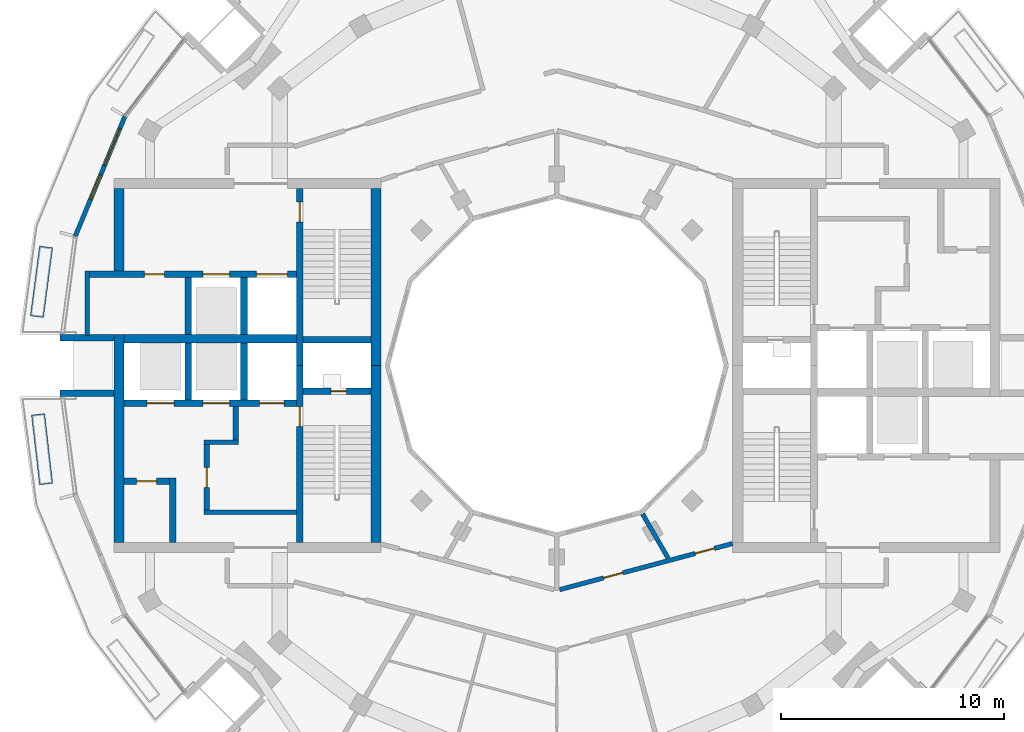
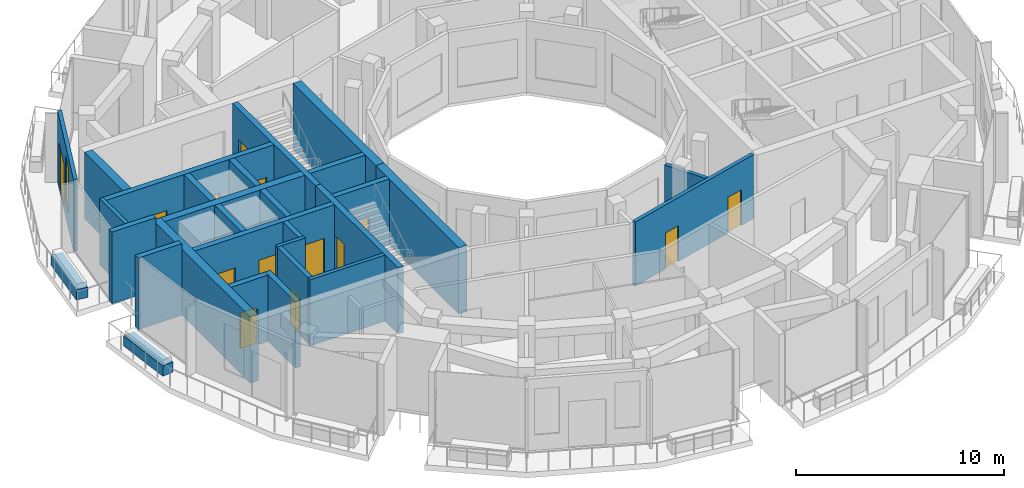
# One storey, part 9 of 16: 29 walls, 14 doors, 1 window, 15 openings.
"""IFC4 building model written with IfcOpenShell, lengths in metres."""

from ifc_helpers import new_model, si_unit, direction, frame, frame_2d, origin, place, context, subcontext, project, spatial, rectangle, extrude, material, layer, layer_set, type_object, element, fill, save


model = new_model("IFC4")

# Units and contexts
model_context = context("Model", 3, precision=1e-05, world=origin(), true_north=direction((0.0, 1.0)))
body_context = subcontext(model_context, "Body", "Model", "MODEL_VIEW")
ifc_project = project(units=[si_unit("LENGTHUNIT", "METRE"), si_unit("AREAUNIT", "SQUARE_METRE"), si_unit("VOLUMEUNIT", "CUBIC_METRE"), si_unit("PLANEANGLEUNIT", "RADIAN"), si_unit("MASSUNIT", "GRAM", prefix="KILO")], contexts=[model_context])

# Site, building, storey
site_placement = place(None, origin())
site = spatial("IfcSite", under=ifc_project, at=site_placement, CompositionType="ELEMENT")
building_placement = place(site_placement, origin())
building = spatial("IfcBuilding", under=site, at=building_placement, Name="Torre Brocal", CompositionType="ELEMENT")
storey_placement = place(building_placement, frame((0.0, 0.0, 292.5)))
storey = spatial("IfcBuildingStorey", under=building, at=storey_placement, Name="L67", CompositionType="ELEMENT", Elevation=292.5)

# Walls
ifc_material_1 = material(Name="Masonry block", Category="masonry")
ifc_layer_1 = layer(ifc_material_1, 0.199951171875)
ifc_layer_set_1 = layer_set([ifc_layer_1], Name="Masonry block")
wall_type_1 = type_object("IfcWallType", Name="CORE PARTITION 200", PredefinedType="PARTITIONING", material=ifc_layer_set_1)
wall_1_placement = place(storey_placement, frame((58.89990234375, 79.25, 0.0), z_axis=(0.0, 0.0, 1.0), x_axis=(0.0, -1.0, 0.0)))
element("IfcWall", 1, at=wall_1_placement, inside=storey, type_object=wall_type_1, Name="Wall CP200", PredefinedType="PARTITIONING", context=body_context, shape_type="SweptSolid", body=[
    extrude(rectangle(XDim=2.89990234375, YDim=0.199951171875, at=frame_2d((1.449951171875, 0.0))), origin(), (0.0, 0.0, 1.0), 3.8798828125),
])
ifc_material_2 = material(Name="Concrete C50", Category="concrete")
ifc_layer_2 = layer(ifc_material_2, 0.199951171875)
ifc_layer_set_2 = layer_set([ifc_layer_2], Name="Concrete C50")
wall_type_2 = type_object("IfcWallType", Name="CORE WALL 200 C50", PredefinedType="SHEAR", material=ifc_layer_set_2)
wall_2_placement = place(storey_placement, frame((68.300048828125, 68.39990234375, 0.0), z_axis=(0.0, 0.0, 1.0), x_axis=(-1.0, 0.0, 0.0)))
element("IfcWall", 2, at=wall_2_placement, inside=storey, type_object=wall_type_2, Name="Wall CW200-50", PredefinedType="SHEAR", context=body_context, shape_type="SweptSolid", body=[
    extrude(rectangle(XDim=4.150146484375, YDim=0.199951171875, at=frame_2d((2.0751953125, 0.0))), origin(), (0.0, 0.0, 1.0), 3.8798828125),
])
wall_3_placement = place(storey_placement, frame((65.699951171875, 71.550048828125, 0.0), z_axis=(0.0, 0.0, 1.0), x_axis=(-1.0, 0.0, 0.0)))
element("IfcWall", 3, at=wall_3_placement, inside=storey, type_object=wall_type_2, Name="Wall CW200-50", PredefinedType="SHEAR", context=body_context, shape_type="SweptSolid", body=[
    extrude(rectangle(XDim=1.550048828125, YDim=0.199951171875, at=frame_2d((0.77490234375, 0.0))), origin(), (0.0, 0.0, 1.0), 3.8798828125),
])

# Wall, opening, door
ifc_material_3 = material(Name="Concrete C50", Category="concrete")
ifc_layer_3 = layer(ifc_material_3, 0.25)
ifc_layer_set_3 = layer_set([ifc_layer_3], Name="Concrete C50")
wall_type_3 = type_object("IfcWallType", Name="CORE WALL 250 C50", PredefinedType="SHEAR", material=ifc_layer_set_3)
wall_4_placement = place(storey_placement, frame((64.27490234375, 71.449951171875, 0.0), z_axis=(0.0, 0.0, 1.0), x_axis=(0.0, -1.0, 0.0)))
wall_4 = element("IfcWall", 4, at=wall_4_placement, inside=storey, type_object=wall_type_3, Name="Wall CW250-50", PredefinedType="SHEAR", context=body_context, shape_type="SweptSolid", body=[
    extrude(rectangle(XDim=2.949951171875, YDim=0.25, at=frame_2d((1.47509765625, 0.0))), origin(), (0.0, 0.0, 1.0), 3.8798828125),
])
opening_1_placement = place(wall_4_placement, frame((1.02490234375, 0.0, 0.0)))
opening_1 = element("IfcOpeningElement", 5, at=opening_1_placement, cuts=wall_4, Name="Opening W-D19", PredefinedType="OPENING", context=body_context, shape_type="SweptSolid", body=[
    extrude(rectangle(XDim=0.89990234375, YDim=2.10009765625, at=frame_2d((0.449951171875, 1.050048828125))), frame((0.0, 0.135009765625, 0.0), z_axis=(0.0, -1.0, 0.0), x_axis=(1.0, 0.0, 0.0)), (0.0, 0.0, 1.0), 0.27001953125),
])
ifc_material_4 = material(Name="Steel A653", Category="steel")
door_type_1 = type_object("IfcDoorType", Name="LOBBY DOOR FD120 900X2100", OperationType="SINGLE_SWING_RIGHT", PredefinedType="DOOR", material=ifc_material_4)
door_1_placement = place(opening_1_placement, origin())
door_1 = element("IfcDoor", 6, at=door_1_placement, inside=storey, type_object=door_type_1, Name="Door W-D19", OperationType="SINGLE_SWING_LEFT", OverallHeight=2.10009765625, OverallWidth=0.89990234375, PredefinedType="DOOR", context=body_context, shape_type="SweptSolid", body=[
    extrude(rectangle(XDim=0.89990234375, YDim=2.10009765625, at=frame_2d((0.449951171875, 1.050048828125))), frame((0.0, 0.02490234375, 0.0), z_axis=(0.0, -1.0, 0.0), x_axis=(1.0, 0.0, 0.0)), (0.0, 0.0, 1.0), 0.050048828125),
])
fill(opening_1, door_1)

# Wall
wall_5_placement = place(storey_placement, frame((65.574951171875, 73.14990234375, 0.0), z_axis=(0.0, 0.0, 1.0), x_axis=(0.0, -1.0, 0.0)))
element("IfcWall", 7, at=wall_5_placement, inside=storey, type_object=wall_type_3, Name="Wall CW250-50", PredefinedType="SHEAR", context=body_context, shape_type="SweptSolid", body=[
    extrude(rectangle(XDim=1.5, YDim=0.25, at=frame_2d((0.75, 0.0))), origin(), (0.0, 0.0, 1.0), 3.8798828125),
])

# Wall, opening, door
ifc_material_5 = material(Name="Concrete C50", Category="concrete")
ifc_layer_4 = layer(ifc_material_5, 0.300048828125)
ifc_layer_set_4 = layer_set([ifc_layer_4], Name="Concrete C50")
wall_type_4 = type_object("IfcWallType", Name="CORE WALL 300 C50", PredefinedType="SHEAR", material=ifc_layer_set_4)
wall_6_placement = place(storey_placement, frame((68.449951171875, 75.0, 0.0), z_axis=(0.0, 0.0, 1.0), x_axis=(0.0, -1.0, 0.0)))
wall_6 = element("IfcWall", 8, at=wall_6_placement, inside=storey, type_object=wall_type_4, Name="Wall CW300-50", PredefinedType="SHEAR", context=body_context, shape_type="SweptSolid", body=[
    extrude(rectangle(XDim=7.949951171875, YDim=0.300048828125, at=frame_2d((3.97509765625, 0.0))), origin(), (0.0, 0.0, 1.0), 3.8798828125),
])
opening_2_placement = place(wall_6_placement, frame((1.85009765625, 0.0, 0.0)))
opening_2 = element("IfcOpeningElement", 9, at=opening_2_placement, cuts=wall_6, Name="Opening W-D02", PredefinedType="OPENING", context=body_context, shape_type="SweptSolid", body=[
    extrude(rectangle(XDim=0.89990234375, YDim=2.10009765625, at=frame_2d((0.449951171875, 1.050048828125))), frame((0.0, 0.159912109375, 0.0), z_axis=(0.0, -1.0, 0.0), x_axis=(1.0, 0.0, 0.0)), (0.0, 0.0, 1.0), 0.320068359375),
])
ifc_material_6 = material(Name="Steel A653", Category="steel")
door_type_2 = type_object("IfcDoorType", Name="STAIR DOOR FD120 900X2100", OperationType="SINGLE_SWING_RIGHT", PredefinedType="DOOR", material=ifc_material_6)
door_2_placement = place(opening_2_placement, origin())
door_2 = element("IfcDoor", 10, at=door_2_placement, inside=storey, type_object=door_type_2, Name="Door W-D02", OperationType="SINGLE_SWING_LEFT", OverallHeight=2.10009765625, OverallWidth=0.89990234375, PredefinedType="DOOR", context=body_context, shape_type="SweptSolid", body=[
    extrude(rectangle(XDim=0.89990234375, YDim=2.10009765625, at=frame_2d((0.449951171875, 1.050048828125))), frame((0.0, 0.02490234375, 0.0), z_axis=(0.0, -1.0, 0.0), x_axis=(1.0, 0.0, 0.0)), (0.0, 0.0, 1.0), 0.050048828125),
])
fill(opening_2, door_2)

wall_7_placement = place(storey_placement, frame((68.449951171875, 82.949951171875, 0.0), z_axis=(0.0, 0.0, 1.0), x_axis=(0.0, -1.0, 0.0)))
wall_7 = element("IfcWall", 11, at=wall_7_placement, inside=storey, type_object=wall_type_4, Name="Wall CW300-50", PredefinedType="SHEAR", context=body_context, shape_type="SweptSolid", body=[
    extrude(rectangle(XDim=7.949951171875, YDim=0.300048828125, at=frame_2d((3.97509765625, 0.0))), origin(), (0.0, 0.0, 1.0), 3.8798828125),
])
opening_3_placement = place(wall_7_placement, frame((0.60009765625, 0.0, 0.0)))
opening_3 = element("IfcOpeningElement", 12, at=opening_3_placement, cuts=wall_7, Name="Opening W-D03", PredefinedType="OPENING", context=body_context, shape_type="SweptSolid", body=[
    extrude(rectangle(XDim=0.89990234375, YDim=2.10009765625, at=frame_2d((0.449951171875, 1.050048828125))), frame((0.0, 0.159912109375, 0.0), z_axis=(0.0, -1.0, 0.0), x_axis=(1.0, 0.0, 0.0)), (0.0, 0.0, 1.0), 0.320068359375),
])
door_3_placement = place(opening_3_placement, origin())
door_3 = element("IfcDoor", 13, at=door_3_placement, inside=storey, type_object=door_type_2, Name="Door W-D03", OperationType="SINGLE_SWING_LEFT", OverallHeight=2.10009765625, OverallWidth=0.89990234375, PredefinedType="DOOR", context=body_context, shape_type="SweptSolid", body=[
    extrude(rectangle(XDim=0.89990234375, YDim=2.10009765625, at=frame_2d((0.449951171875, 1.050048828125))), frame((0.0, 0.02490234375, 0.0), z_axis=(0.0, -1.0, 0.0), x_axis=(1.0, 0.0, 0.0)), (0.0, 0.0, 1.0), 0.050048828125),
])
fill(opening_3, door_3)

wall_8_placement = place(storey_placement, frame((71.64990234375, 73.85009765625, 0.0), z_axis=(0.0, 0.0, 1.0), x_axis=(-1.0, 0.0, 0.0)))
wall_8 = element("IfcWall", 14, at=wall_8_placement, inside=storey, type_object=wall_type_4, Name="Wall CW300-50", PredefinedType="SHEAR", context=body_context, shape_type="SweptSolid", body=[
    extrude(rectangle(XDim=3.0498046875, YDim=0.300048828125, at=frame_2d((1.52490234375, 0.0))), origin(), (0.0, 0.0, 1.0), 3.8798828125),
])
opening_4_placement = place(wall_8_placement, frame((1.10009765625, 0.0, 0.0)))
opening_4 = element("IfcOpeningElement", 15, at=opening_4_placement, cuts=wall_8, Name="Opening W-D01", PredefinedType="OPENING", context=body_context, shape_type="SweptSolid", body=[
    extrude(rectangle(XDim=0.699951171875, YDim=2.0, at=frame_2d((0.35009765625, 1.0))), frame((0.0, 0.159912109375, 0.0), z_axis=(0.0, -1.0, 0.0), x_axis=(1.0, 0.0, 0.0)), (0.0, 0.0, 1.0), 0.320068359375),
])
ifc_material_7 = material(Name="Steel A653", Category="steel")
door_type_3 = type_object("IfcDoorType", Name="RISER DOOR FD120 700X2000", OperationType="SINGLE_SWING_LEFT", PredefinedType="DOOR", material=ifc_material_7)
door_4_placement = place(opening_4_placement, frame((0.699951171875, 0.0, 0.0), z_axis=(0.0, 0.0, 1.0), x_axis=(-1.0, 0.0, 0.0)))
door_4 = element("IfcDoor", 16, at=door_4_placement, inside=storey, type_object=door_type_3, Name="Door W-D01", OperationType="SINGLE_SWING_RIGHT", OverallHeight=2.0, OverallWidth=0.699951171875, PredefinedType="DOOR", context=body_context, shape_type="SweptSolid", body=[
    extrude(rectangle(XDim=0.699951171875, YDim=2.0, at=frame_2d((0.35009765625, 1.0))), frame((0.0, 0.02490234375, 0.0), z_axis=(0.0, -1.0, 0.0), x_axis=(1.0, 0.0, 0.0)), (0.0, 0.0, 1.0), 0.050048828125),
])
fill(opening_4, door_4)

# Wall
wall_9_placement = place(storey_placement, frame((71.64990234375, 76.14990234375, 0.0), z_axis=(0.0, 0.0, 1.0), x_axis=(-1.0, 0.0, 0.0)))
element("IfcWall", 17, at=wall_9_placement, inside=storey, type_object=wall_type_4, Name="Wall CW300-50", PredefinedType="SHEAR", context=body_context, shape_type="SweptSolid", body=[
    extrude(rectangle(XDim=3.0498046875, YDim=0.300048828125, at=frame_2d((1.52490234375, 0.0))), origin(), (0.0, 0.0, 1.0), 3.8798828125),
])

# Wall, openings, doors
wall_10_placement = place(storey_placement, frame((68.300048828125, 73.300048828125, 0.0), z_axis=(0.0, 0.0, 1.0), x_axis=(-1.0, 0.0, 0.0)))
wall_10 = element("IfcWall", 18, at=wall_10_placement, inside=storey, type_object=wall_type_4, Name="Wall CW300-50", PredefinedType="SHEAR", context=body_context, shape_type="SweptSolid", body=[
    extrude(rectangle(XDim=7.75, YDim=0.300048828125, at=frame_2d((3.875, 0.0))), origin(), (0.0, 0.0, 1.0), 3.8798828125),
])
opening_5_placement = place(wall_10_placement, frame((0.550048828125, 0.0, 0.0)))
opening_5 = element("IfcOpeningElement", 19, at=opening_5_placement, cuts=wall_10, Name="Opening LD", PredefinedType="OPENING", context=body_context, shape_type="SweptSolid", body=[
    extrude(rectangle(XDim=1.10009765625, YDim=2.10009765625, at=frame_2d((0.550048828125, 1.050048828125))), frame((0.0, 0.159912109375, 0.0), z_axis=(0.0, -1.0, 0.0), x_axis=(1.0, 0.0, 0.0)), (0.0, 0.0, 1.0), 0.320068359375),
])
opening_6_placement = place(wall_10_placement, frame((3.0, 0.0, 0.0)))
opening_6 = element("IfcOpeningElement", 20, at=opening_6_placement, cuts=wall_10, Name="Opening LD12", PredefinedType="OPENING", context=body_context, shape_type="SweptSolid", body=[
    extrude(rectangle(XDim=1.199951171875, YDim=2.10009765625, at=frame_2d((0.60009765625, 1.050048828125))), frame((0.0, 0.159912109375, 0.0), z_axis=(0.0, -1.0, 0.0), x_axis=(1.0, 0.0, 0.0)), (0.0, 0.0, 1.0), 0.320068359375),
])
opening_7_placement = place(wall_10_placement, frame((5.5, 0.0, 0.0)))
opening_7 = element("IfcOpeningElement", 21, at=opening_7_placement, cuts=wall_10, Name="Opening LD12", PredefinedType="OPENING", context=body_context, shape_type="SweptSolid", body=[
    extrude(rectangle(XDim=1.199951171875, YDim=2.10009765625, at=frame_2d((0.60009765625, 1.050048828125))), frame((0.0, 0.159912109375, 0.0), z_axis=(0.0, -1.0, 0.0), x_axis=(1.0, 0.0, 0.0)), (0.0, 0.0, 1.0), 0.320068359375),
])
ifc_material_8 = material(Name="Stainless steel AISI 316", Category="steel")
door_type_4 = type_object("IfcDoorType", Name="LIFT LANDING DOOR 1100X2100", OperationType="DOUBLE_DOOR_SLIDING", PredefinedType="DOOR", material=ifc_material_8)
door_5_placement = place(opening_5_placement, origin())
door_5 = element("IfcDoor", 22, at=door_5_placement, inside=storey, type_object=door_type_4, Name="Door LD", OperationType="DOUBLE_DOOR_SLIDING", OverallHeight=2.10009765625, OverallWidth=1.10009765625, PredefinedType="DOOR", context=body_context, shape_type="SweptSolid", body=[
    extrude(rectangle(XDim=1.10009765625, YDim=2.10009765625, at=frame_2d((0.550048828125, 1.050048828125))), frame((0.0, 0.02490234375, 0.0), z_axis=(0.0, -1.0, 0.0), x_axis=(1.0, 0.0, 0.0)), (0.0, 0.0, 1.0), 0.050048828125),
])
fill(opening_5, door_5)
ifc_material_9 = material(Name="Stainless steel AISI 316", Category="steel")
door_type_5 = type_object("IfcDoorType", Name="LIFT LANDING DOOR 1200X2100", OperationType="DOUBLE_DOOR_SLIDING", PredefinedType="DOOR", material=ifc_material_9)
door_6_placement = place(opening_6_placement, origin())
door_6 = element("IfcDoor", 23, at=door_6_placement, inside=storey, type_object=door_type_5, Name="Door LD12", OperationType="DOUBLE_DOOR_SLIDING", OverallHeight=2.10009765625, OverallWidth=1.199951171875, PredefinedType="DOOR", context=body_context, shape_type="SweptSolid", body=[
    extrude(rectangle(XDim=1.199951171875, YDim=2.10009765625, at=frame_2d((0.60009765625, 1.050048828125))), frame((0.0, 0.02490234375, 0.0), z_axis=(0.0, -1.0, 0.0), x_axis=(1.0, 0.0, 0.0)), (0.0, 0.0, 1.0), 0.050048828125),
])
fill(opening_6, door_6)
door_7_placement = place(opening_7_placement, origin())
door_7 = element("IfcDoor", 24, at=door_7_placement, inside=storey, type_object=door_type_5, Name="Door LD12", OperationType="DOUBLE_DOOR_SLIDING", OverallHeight=2.10009765625, OverallWidth=1.199951171875, PredefinedType="DOOR", context=body_context, shape_type="SweptSolid", body=[
    extrude(rectangle(XDim=1.199951171875, YDim=2.10009765625, at=frame_2d((0.60009765625, 1.050048828125))), frame((0.0, 0.02490234375, 0.0), z_axis=(0.0, -1.0, 0.0), x_axis=(1.0, 0.0, 0.0)), (0.0, 0.0, 1.0), 0.050048828125),
])
fill(opening_7, door_7)

wall_11_placement = place(storey_placement, frame((68.300048828125, 79.10009765625, 0.0), z_axis=(0.0, 0.0, 1.0), x_axis=(-1.0, 0.0, 0.0)))
wall_11 = element("IfcWall", 25, at=wall_11_placement, inside=storey, type_object=wall_type_4, Name="Wall CW300-50", PredefinedType="SHEAR", context=body_context, shape_type="SweptSolid", body=[
    extrude(rectangle(XDim=9.300048828125, YDim=0.300048828125, at=frame_2d((4.64990234375, 0.0))), origin(), (0.0, 0.0, 1.0), 3.8798828125),
])
opening_8_placement = place(wall_11_placement, frame((0.39990234375, 0.0, 0.0)))
opening_8 = element("IfcOpeningElement", 26, at=opening_8_placement, cuts=wall_11, Name="Opening LD14", PredefinedType="OPENING", context=body_context, shape_type="SweptSolid", body=[
    extrude(rectangle(XDim=1.39990234375, YDim=2.10009765625, at=frame_2d((0.699951171875, 1.050048828125))), frame((0.0, 0.159912109375, 0.0), z_axis=(0.0, -1.0, 0.0), x_axis=(1.0, 0.0, 0.0)), (0.0, 0.0, 1.0), 0.320068359375),
])
opening_9_placement = place(wall_11_placement, frame((3.0, 0.0, 0.0)))
opening_9 = element("IfcOpeningElement", 27, at=opening_9_placement, cuts=wall_11, Name="Opening LD12", PredefinedType="OPENING", context=body_context, shape_type="SweptSolid", body=[
    extrude(rectangle(XDim=1.199951171875, YDim=2.10009765625, at=frame_2d((0.60009765625, 1.050048828125))), frame((0.0, 0.159912109375, 0.0), z_axis=(0.0, -1.0, 0.0), x_axis=(1.0, 0.0, 0.0)), (0.0, 0.0, 1.0), 0.320068359375),
])
opening_10_placement = place(wall_11_placement, frame((5.925048828125, 0.0, 0.0)))
opening_10 = element("IfcOpeningElement", 28, at=opening_10_placement, cuts=wall_11, Name="Opening W-D04", PredefinedType="OPENING", context=body_context, shape_type="SweptSolid", body=[
    extrude(rectangle(XDim=0.89990234375, YDim=2.10009765625, at=frame_2d((0.449951171875, 1.050048828125))), frame((0.0, 0.159912109375, 0.0), z_axis=(0.0, -1.0, 0.0), x_axis=(1.0, 0.0, 0.0)), (0.0, 0.0, 1.0), 0.320068359375),
])
door_8_placement = place(opening_9_placement, origin())
door_8 = element("IfcDoor", 29, at=door_8_placement, inside=storey, type_object=door_type_5, Name="Door LD12", OperationType="DOUBLE_DOOR_SLIDING", OverallHeight=2.10009765625, OverallWidth=1.199951171875, PredefinedType="DOOR", context=body_context, shape_type="SweptSolid", body=[
    extrude(rectangle(XDim=1.199951171875, YDim=2.10009765625, at=frame_2d((0.60009765625, 1.050048828125))), frame((0.0, 0.02490234375, 0.0), z_axis=(0.0, -1.0, 0.0), x_axis=(1.0, 0.0, 0.0)), (0.0, 0.0, 1.0), 0.050048828125),
])
fill(opening_9, door_8)
ifc_material_10 = material(Name="Stainless steel AISI 316", Category="steel")
door_type_6 = type_object("IfcDoorType", Name="LIFT LANDING DOOR 1400X2100", OperationType="DOUBLE_DOOR_SLIDING", PredefinedType="DOOR", material=ifc_material_10)
door_9_placement = place(opening_8_placement, origin())
door_9 = element("IfcDoor", 30, at=door_9_placement, inside=storey, type_object=door_type_6, Name="Door LD14", OperationType="DOUBLE_DOOR_SLIDING", OverallHeight=2.10009765625, OverallWidth=1.39990234375, PredefinedType="DOOR", context=body_context, shape_type="SweptSolid", body=[
    extrude(rectangle(XDim=1.39990234375, YDim=2.10009765625, at=frame_2d((0.699951171875, 1.050048828125))), frame((0.0, 0.02490234375, 0.0), z_axis=(0.0, -1.0, 0.0), x_axis=(1.0, 0.0, 0.0)), (0.0, 0.0, 1.0), 0.050048828125),
])
fill(opening_8, door_9)
ifc_material_11 = material(Name="Steel A653", Category="steel")
door_type_7 = type_object("IfcDoorType", Name="ROOM DOOR FD30S 900X2100", OperationType="SINGLE_SWING_LEFT", PredefinedType="DOOR", material=ifc_material_11)
door_10_placement = place(opening_10_placement, origin())
door_10 = element("IfcDoor", 31, at=door_10_placement, inside=storey, type_object=door_type_7, Name="Door W-D04", OperationType="SINGLE_SWING_LEFT", OverallHeight=2.10009765625, OverallWidth=0.89990234375, PredefinedType="DOOR", context=body_context, shape_type="SweptSolid", body=[
    extrude(rectangle(XDim=0.89990234375, YDim=2.10009765625, at=frame_2d((0.449951171875, 1.050048828125))), frame((0.0, 0.02490234375, 0.0), z_axis=(0.0, -1.0, 0.0), x_axis=(1.0, 0.0, 0.0)), (0.0, 0.0, 1.0), 0.050048828125),
])
fill(opening_10, door_10)

# Walls
for number, where, z_axis, x_axis, name in (
    (32, (65.949951171875, 76.0, 0.0), (0.0, 0.0, 1.0), (0.0, -1.0, 0.0), "Wall CW300-50"),
    (33, (63.449951171875, 76.0, 0.0), (0.0, 0.0, 1.0), (0.0, -1.0, 0.0), "Wall CW300-50"),
    (34, (65.949951171875, 78.949951171875, 0.0), (0.0, 0.0, 1.0), (0.0, -1.0, 0.0), "Wall CW300-50"),
    (35, (63.449951171875, 78.949951171875, 0.0), (0.0, 0.0, 1.0), (0.0, -1.0, 0.0), "Wall CW300-50"),
):
    element("IfcWall", number, at=place(storey_placement, frame(where, z_axis=z_axis, x_axis=x_axis)), inside=storey, type_object=wall_type_4, Name=name, PredefinedType="SHEAR", context=body_context, shape_type="SweptSolid", body=[
        extrude(rectangle(XDim=2.550048828125, YDim=0.300048828125, at=frame_2d((1.27490234375, 0.0))), origin(), (0.0, 0.0, 1.0), 3.8798828125),
    ])
wall_12_placement = place(storey_placement, frame((62.75, 69.949951171875, 0.0), z_axis=(0.0, 0.0, 1.0), x_axis=(0.0, -1.0, 0.0)))
element("IfcWall", 36, at=wall_12_placement, inside=storey, type_object=wall_type_4, Name="Wall CW300-50", PredefinedType="SHEAR", context=body_context, shape_type="SweptSolid", body=[
    extrude(rectangle(XDim=2.89990234375, YDim=0.300048828125, at=frame_2d((1.449951171875, 0.0))), origin(), (0.0, 0.0, 1.0), 3.8798828125),
])

# Wall, opening, door
wall_13_placement = place(storey_placement, frame((62.60009765625, 69.800048828125, 0.0), z_axis=(0.0, 0.0, 1.0), x_axis=(-1.0, 0.0, 0.0)))
wall_13 = element("IfcWall", 37, at=wall_13_placement, inside=storey, type_object=wall_type_4, Name="Wall CW300-50", PredefinedType="SHEAR", context=body_context, shape_type="SweptSolid", body=[
    extrude(rectangle(XDim=2.050048828125, YDim=0.300048828125, at=frame_2d((1.02490234375, 0.0))), origin(), (0.0, 0.0, 1.0), 3.8798828125),
])
opening_11_placement = place(wall_13_placement, frame((0.574951171875, 0.0, 0.0)))
opening_11 = element("IfcOpeningElement", 38, at=opening_11_placement, cuts=wall_13, Name="Opening W-D06", PredefinedType="OPENING", context=body_context, shape_type="SweptSolid", body=[
    extrude(rectangle(XDim=0.89990234375, YDim=2.10009765625, at=frame_2d((0.449951171875, 1.050048828125))), frame((0.0, 0.159912109375, 0.0), z_axis=(0.0, -1.0, 0.0), x_axis=(1.0, 0.0, 0.0)), (0.0, 0.0, 1.0), 0.320068359375),
])
door_11_placement = place(opening_11_placement, origin())
door_11 = element("IfcDoor", 39, at=door_11_placement, inside=storey, type_object=door_type_7, Name="Door W-D06", OperationType="SINGLE_SWING_RIGHT", OverallHeight=2.10009765625, OverallWidth=0.89990234375, PredefinedType="DOOR", context=body_context, shape_type="SweptSolid", body=[
    extrude(rectangle(XDim=0.89990234375, YDim=2.10009765625, at=frame_2d((0.449951171875, 1.050048828125))), frame((0.0, 0.02490234375, 0.0), z_axis=(0.0, -1.0, 0.0), x_axis=(1.0, 0.0, 0.0)), (0.0, 0.0, 1.0), 0.050048828125),
])
fill(opening_11, door_11)

# Walls
ifc_material_12 = material(Name="Concrete C50", Category="concrete")
ifc_layer_5 = layer(ifc_material_12, 0.39990234375)
ifc_layer_set_5 = layer_set([ifc_layer_5], Name="Concrete C50")
wall_type_5 = type_object("IfcWallType", Name="CORE WALL 400 C50", PredefinedType="SHEAR", material=ifc_layer_set_5)
wall_14_placement = place(storey_placement, frame((68.300048828125, 76.199951171875, 0.0), z_axis=(0.0, 0.0, 1.0), x_axis=(-1.0, 0.0, 0.0)))
element("IfcWall", 40, at=wall_14_placement, inside=storey, type_object=wall_type_5, Name="Wall CW400-50", PredefinedType="SHEAR", context=body_context, shape_type="SweptSolid", body=[
    extrude(rectangle(XDim=7.75, YDim=0.39990234375, at=frame_2d((3.875, 0.0))), origin(), (0.0, 0.0, 1.0), 3.8798828125),
])
ifc_material_13 = material(Name="Concrete C50", Category="concrete")
ifc_layer_6 = layer(ifc_material_13, 0.449951171875)
ifc_layer_set_6 = layer_set([ifc_layer_6], Name="Concrete C50")
wall_type_6 = type_object("IfcWallType", Name="CORE WALL 450 C50", PredefinedType="SHEAR", material=ifc_layer_set_6)
for number, where, z_axis, x_axis, name in (
    (41, (71.875, 75.0, 0.0), (0.0, 0.0, 1.0), (0.0, -1.0, 0.0), "Wall CW450-50"),
    (42, (71.875, 82.949951171875, 0.0), (0.0, 0.0, 1.0), (0.0, -1.0, 0.0), "Wall CW450-50"),
):
    element("IfcWall", number, at=place(storey_placement, frame(where, z_axis=z_axis, x_axis=x_axis)), inside=storey, type_object=wall_type_6, Name=name, PredefinedType="SHEAR", context=body_context, shape_type="SweptSolid", body=[
        extrude(rectangle(XDim=7.949951171875, YDim=0.449951171875, at=frame_2d((3.97509765625, 0.0))), origin(), (0.0, 0.0, 1.0), 3.8798828125),
    ])
wall_15_placement = place(storey_placement, frame((60.324951171875, 76.39990234375, 0.0), z_axis=(0.0, 0.0, 1.0), x_axis=(0.0, -1.0, 0.0)))
element("IfcWall", 43, at=wall_15_placement, inside=storey, type_object=wall_type_6, Name="Wall CW450-50", PredefinedType="SHEAR", context=body_context, shape_type="SweptSolid", body=[
    extrude(rectangle(XDim=9.349853515625, YDim=0.449951171875, at=frame_2d((4.6748046875, 0.0))), origin(), (0.0, 0.0, 1.0), 3.8798828125),
])
wall_16_placement = place(storey_placement, frame((60.324951171875, 82.949951171875, 0.0), z_axis=(0.0, 0.0, 1.0), x_axis=(0.0, -1.0, 0.0)))
element("IfcWall", 44, at=wall_16_placement, inside=storey, type_object=wall_type_6, Name="Wall CW450-50", PredefinedType="SHEAR", context=body_context, shape_type="SweptSolid", body=[
    extrude(rectangle(XDim=3.699951171875, YDim=0.449951171875, at=frame_2d((1.85009765625, 0.0))), origin(), (0.0, 0.0, 1.0), 3.8798828125),
])

# Wall, openings, door, window
ifc_material_14 = material(Name="Concrete C40", Category="concrete")
ifc_layer_7 = layer(ifc_material_14, 0.199951171875)
ifc_layer_set_7 = layer_set([ifc_layer_7], Name="Concrete C40")
wall_type_7 = type_object("IfcWallType", Name="EXTERNAL WALL 200", PredefinedType="NOTDEFINED", material=ifc_layer_set_7)
wall_17_placement = place(storey_placement, frame((60.601806640625, 86.199462890625, 0.0), z_axis=(0.0, 0.0, 1.0), x_axis=(-0.382708254591, -0.923869250418, 0.0)))
wall_17 = element("IfcWall", 45, at=wall_17_placement, inside=storey, type_object=wall_type_7, Name="EXTERNAL WALL", PredefinedType="NOTDEFINED", context=body_context, shape_type="SweptSolid", body=[
    extrude(rectangle(XDim=5.84716796875, YDim=0.199951171875, at=frame_2d((2.923583984375, 0.0))), origin(), (0.0, 0.0, 1.0), 4.199951171875),
])
opening_12_placement = place(wall_17_placement, frame((0.60009765625, 0.0, 0.0)))
opening_12 = element("IfcOpeningElement", 46, at=opening_12_placement, cuts=wall_17, Name="Opening L67-E04", PredefinedType="OPENING", context=body_context, shape_type="SweptSolid", body=[
    extrude(rectangle(XDim=1.800048828125, YDim=2.699951171875, at=frame_2d((0.89990234375, 1.35009765625))), frame((0.0, 0.10986328125, 0.0), z_axis=(0.0, -1.0, 0.0), x_axis=(1.0, 0.0, 0.0)), (0.0, 0.0, 1.0), 0.219970703125),
])
opening_13_placement = place(wall_17_placement, frame((2.85009765625, 0.0, 0.89990234375)))
opening_13 = element("IfcOpeningElement", 47, at=opening_13_placement, cuts=wall_17, Name="Opening W9", PredefinedType="OPENING", context=body_context, shape_type="SweptSolid", body=[
    extrude(rectangle(XDim=1.199951171875, YDim=2.699951171875, at=frame_2d((0.60009765625, 1.35009765625))), frame((0.0, 0.10986328125, 0.0), z_axis=(0.0, -1.0, 0.0), x_axis=(1.0, 0.0, 0.0)), (0.0, 0.0, 1.0), 0.219970703125),
])
ifc_material_15 = material(Name="Aluminium and glass", Category="aluminium")
door_type_8 = type_object("IfcDoorType", Name="PENTHOUSE TERRACE DOUBLE DOOR 1800X2700", OperationType="DOUBLE_DOOR_SINGLE_SWING", PredefinedType="DOOR", material=ifc_material_15)
door_12_placement = place(opening_12_placement, origin())
door_12 = element("IfcDoor", 48, at=door_12_placement, inside=storey, type_object=door_type_8, Name="DOOR L67-E04", OperationType="DOUBLE_DOOR_SINGLE_SWING", OverallHeight=2.699951171875, OverallWidth=1.800048828125, PredefinedType="DOOR", context=body_context, shape_type="SweptSolid", body=[
    extrude(rectangle(XDim=1.800048828125, YDim=2.699951171875, at=frame_2d((0.89990234375, 1.35009765625))), frame((0.0, 0.02490234375, 0.0), z_axis=(0.0, -1.0, 0.0), x_axis=(1.0, 0.0, 0.0)), (0.0, 0.0, 1.0), 0.050048828125),
])
fill(opening_12, door_12)
ifc_material_16 = material(Name="Aluminium and glass", Category="aluminium")
window_type = type_object("IfcWindowType", Name="PENTHOUSE TERRACE WINDOW 1200X2700", PartitioningType="SINGLE_PANEL", PredefinedType="WINDOW", material=ifc_material_16)
window_placement = place(opening_13_placement, origin())
window = element("IfcWindow", 49, at=window_placement, inside=storey, type_object=window_type, Name="PENTHOUSE TERRACE WINDOW 1200X2700", OverallHeight=2.699951171875, OverallWidth=1.199951171875, PartitioningType="SINGLE_PANEL", PredefinedType="WINDOW", context=body_context, shape_type="SweptSolid", body=[
    extrude(rectangle(XDim=1.199951171875, YDim=2.699951171875, at=frame_2d((0.60009765625, 1.35009765625))), frame((0.0, 0.030029296875, 0.0), z_axis=(0.0, -1.0, 0.0), x_axis=(1.0, 0.0, 0.0)), (0.0, 0.0, 1.0), 0.06005859375),
])
fill(opening_13, window)

# Walls
ifc_material_17 = material(Name="Concrete C50", Category="concrete")
ifc_layer_8 = layer(ifc_material_17, 0.300048828125)
ifc_layer_set_8 = layer_set([ifc_layer_8], Name="Concrete C50")
wall_type_8 = type_object("IfcWallType", Name="NOTCH RETURN WALL 300 C50", PredefinedType="NOTDEFINED", material=ifc_layer_set_8)
for number, where, z_axis, x_axis, name in (
    (50, (60.10009765625, 76.25, 0.0), (0.0, 0.0, 1.0), (-1.0, 0.0, 0.0), "NOTCH RETURN WALL"),
    (51, (60.10009765625, 73.75, 0.0), (0.0, 0.0, 1.0), (-1.0, 0.0, 0.0), "NOTCH RETURN WALL"),
):
    element("IfcWall", number, at=place(storey_placement, frame(where, z_axis=z_axis, x_axis=x_axis)), inside=storey, type_object=wall_type_8, Name=name, PredefinedType="NOTDEFINED", context=body_context, shape_type="SweptSolid", body=[
        extrude(rectangle(XDim=2.415771484375, YDim=0.300048828125, at=frame_2d((1.2080078125, 0.0))), origin(), (0.0, 0.0, 1.0), 4.199951171875),
    ])

# Wall, openings, doors
ifc_material_18 = material(Name="Gypsum board", Category="Gypsum")
ifc_layer_9 = layer(ifc_material_18, 0.199951171875)
ifc_layer_set_9 = layer_set([ifc_layer_9], Name="Gypsum board")
wall_type_9 = type_object("IfcWallType", Name="PARTITION 200 EI60", PredefinedType="PARTITIONING", material=ifc_layer_set_9)
wall_18_placement = place(storey_placement, frame((80.125, 64.931640625, 0.0), z_axis=(0.0, 0.0, 1.0), x_axis=(0.966236955806, 0.257655089674, 0.0)))
wall_18 = element("IfcWall", 52, at=wall_18_placement, inside=storey, type_object=wall_type_9, Name="CORRIDOR WALL", PredefinedType="PARTITIONING", context=body_context, shape_type="SweptSolid", body=[
    extrude(rectangle(XDim=8.0390625, YDim=0.199951171875, at=frame_2d((4.01953125, 0.0))), origin(), (0.0, 0.0, 1.0), 3.75),
])
opening_14_placement = place(wall_18_placement, frame((6.298095703125, 0.0, 0.0)))
opening_14 = element("IfcOpeningElement", 53, at=opening_14_placement, cuts=wall_18, Name="Opening N03-D15", PredefinedType="OPENING", context=body_context, shape_type="SweptSolid", body=[
    extrude(rectangle(XDim=0.89990234375, YDim=2.10009765625, at=frame_2d((0.449951171875, 1.050048828125))), frame((0.0, 0.10986328125, 0.0), z_axis=(0.0, -1.0, 0.0), x_axis=(1.0, 0.0, 0.0)), (0.0, 0.0, 1.0), 0.219970703125),
])
opening_15_placement = place(wall_18_placement, frame((2.044921875, 0.0, 0.0)))
opening_15 = element("IfcOpeningElement", 54, at=opening_15_placement, cuts=wall_18, Name="Opening N03-D16", PredefinedType="OPENING", context=body_context, shape_type="SweptSolid", body=[
    extrude(rectangle(XDim=0.89990234375, YDim=2.10009765625, at=frame_2d((0.449951171875, 1.050048828125))), frame((0.0, 0.10986328125, 0.0), z_axis=(0.0, -1.0, 0.0), x_axis=(1.0, 0.0, 0.0)), (0.0, 0.0, 1.0), 0.219970703125),
])
ifc_material_19 = material(Name="Timber", Category="wood")
door_type_9 = type_object("IfcDoorType", Name="ROOM DOOR 900X2100", OperationType="SINGLE_SWING_LEFT", PredefinedType="DOOR", material=ifc_material_19)
door_13_placement = place(opening_14_placement, origin())
door_13 = element("IfcDoor", 55, at=door_13_placement, inside=storey, type_object=door_type_9, Name="N03-D15", OperationType="SINGLE_SWING_RIGHT", OverallHeight=2.10009765625, OverallWidth=0.89990234375, PredefinedType="DOOR", context=body_context, shape_type="SweptSolid", body=[
    extrude(rectangle(XDim=0.89990234375, YDim=2.10009765625, at=frame_2d((0.449951171875, 1.050048828125))), frame((0.0, 0.02490234375, 0.0), z_axis=(0.0, -1.0, 0.0), x_axis=(1.0, 0.0, 0.0)), (0.0, 0.0, 1.0), 0.050048828125),
])
fill(opening_14, door_13)
door_14_placement = place(opening_15_placement, origin())
door_14 = element("IfcDoor", 56, at=door_14_placement, inside=storey, type_object=door_type_9, Name="N03-D16", OperationType="SINGLE_SWING_RIGHT", OverallHeight=2.10009765625, OverallWidth=0.89990234375, PredefinedType="DOOR", context=body_context, shape_type="SweptSolid", body=[
    extrude(rectangle(XDim=0.89990234375, YDim=2.10009765625, at=frame_2d((0.449951171875, 1.050048828125))), frame((0.0, 0.02490234375, 0.0), z_axis=(0.0, -1.0, 0.0), x_axis=(1.0, 0.0, 0.0)), (0.0, 0.0, 1.0), 0.050048828125),
])
fill(opening_15, door_14)

# Walls
wall_19_placement = place(storey_placement, frame((83.849609375, 68.333251953125, 0.0), z_axis=(0.0, 0.0, 1.0), x_axis=(0.500080019051, -0.865979199835, 0.0)))
element("IfcWall", 57, at=wall_19_placement, inside=storey, type_object=wall_type_9, Name="SERVICE ROOM WALL", PredefinedType="PARTITIONING", context=body_context, shape_type="SweptSolid", body=[
    extrude(rectangle(XDim=2.285400390625, YDim=0.199951171875, at=frame_2d((1.142578125, 0.0))), origin(), (0.0, 0.0, 1.0), 3.75),
])
ifc_material_20 = material(Name="Concrete C35", Category="concrete")
ifc_layer_10 = layer(ifc_material_20, 0.60009765625)
ifc_layer_set_10 = layer_set([ifc_layer_10], Name="Concrete C35")
wall_type_10 = type_object("IfcWallType", Name="PLANTER WALL 600 THICK 600 HIGH", PredefinedType="USERDEFINED", material=ifc_layer_set_10)
wall_20_placement = place(storey_placement, frame((57.05859375, 80.325927734375, 0.0), z_axis=(0.0, 0.0, 1.0), x_axis=(-0.130574429647, -0.991438509602, 0.0)))
element("IfcWall", 58, at=wall_20_placement, inside=storey, type_object=wall_type_10, Name="PLANTER", ObjectType="PLANTER", PredefinedType="USERDEFINED", context=body_context, shape_type="SweptSolid", body=[
    extrude(rectangle(XDim=3.159912109375, YDim=0.60009765625, at=frame_2d((1.580078125, 0.0))), origin(), (0.0, 0.0, 1.0), 0.60009765625),
])
wall_21_placement = place(storey_placement, frame((56.6982421875, 72.806884765625, 0.0), z_axis=(0.0, 0.0, 1.0), x_axis=(0.114271473819, -0.99344956101, 0.0)))
element("IfcWall", 59, at=wall_21_placement, inside=storey, type_object=wall_type_10, Name="PLANTER", ObjectType="PLANTER", PredefinedType="USERDEFINED", context=body_context, shape_type="SweptSolid", body=[
    extrude(rectangle(XDim=3.153564453125, YDim=0.60009765625, at=frame_2d((1.57666015625, 0.0))), origin(), (0.0, 0.0, 1.0), 0.60009765625),
])

save(model, "model.ifc")
